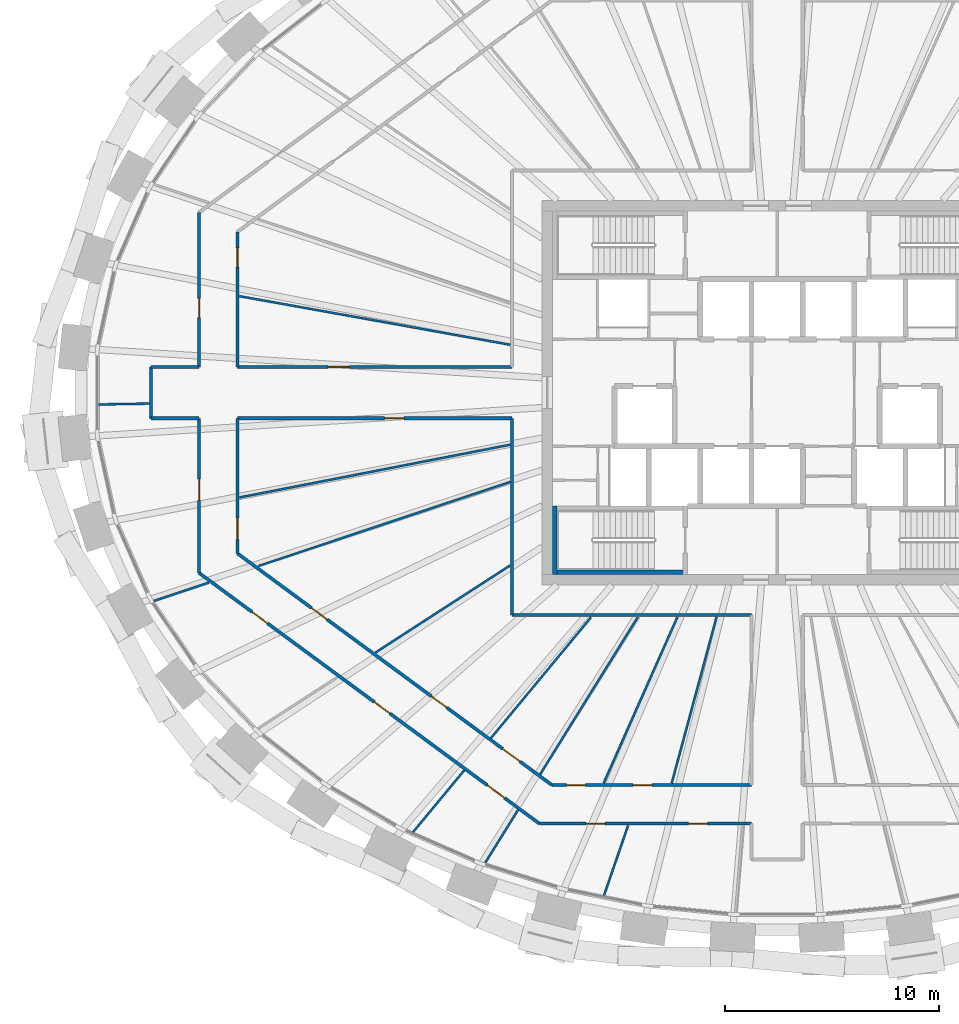
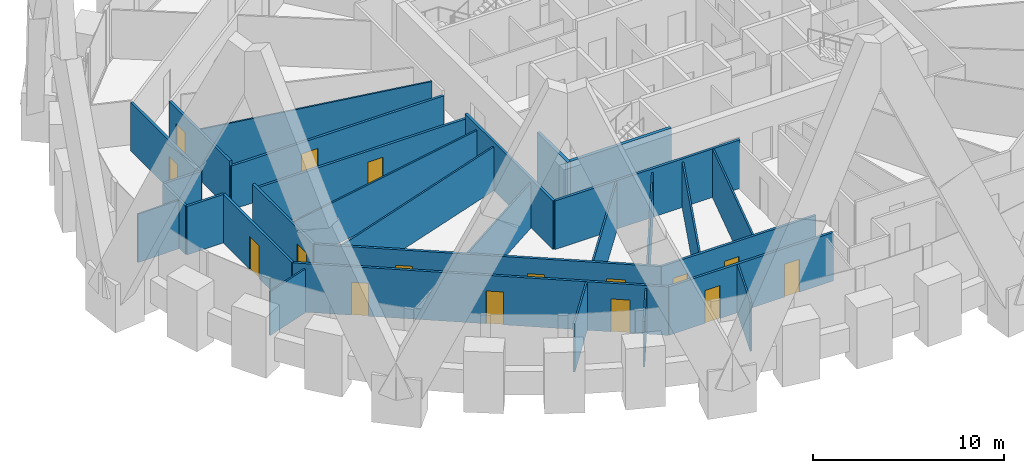
# One storey, part 7 of 14: 30 walls, 16 doors, 16 openings.
"""IFC4 building model written with IfcOpenShell, lengths in metres."""

import ifcopenshell
import ifcopenshell.guid

model = None  # the IFC model being written
_history = None  # IfcOwnerHistory: only IFC2X3 demands one
_inside = {}  # id of a spatial element -> (the spatial element, [elements in it])
_under = {}  # id of a project, library or spatial element -> (it, [spatial elements below it])
_declared = {}  # id of a project -> (the project, [libraries it declares])
_typed = {}  # id of a type object -> (the type object, [elements of that type])
_made_of = {}  # id of a material, layer set ... -> (it, [elements and type objects made of it])


def new_model(schema):
    """Start an empty IFC model of exactly this schema.

    Asked for "IFC4X3", IfcOpenShell would pick the latest addendum, in which some entities
    have other attributes; the version numbers below select the first issue.
    IFC2X3 requires an IfcOwnerHistory on every rooted entity: one is made here for all.
    """
    global model, _history
    if schema == "IFC4X3":
        model = ifcopenshell.file(schema_version=(4, 3, 0, 0))
    else:
        model = ifcopenshell.file(schema=schema)
    _inside.clear()
    _under.clear()
    _declared.clear()
    _typed.clear()
    _made_of.clear()
    _history = None
    if model.schema == "IFC2X3":
        org = make("IfcOrganization", Name="unknown")
        user = make(
            "IfcPersonAndOrganization",
            ThePerson=make("IfcPerson", FamilyName="unknown"),
            TheOrganization=org,
        )
        app = make(
            "IfcApplication",
            ApplicationDeveloper=org,
            Version="unknown",
            ApplicationFullName="unknown",
            ApplicationIdentifier="unknown",
        )
        _history = make(
            "IfcOwnerHistory",
            OwningUser=user,
            OwningApplication=app,
            ChangeAction="ADDED",
            CreationDate=0,
        )
    return model


def make(cls, **values):
    """One entity of the class cls with the attributes given. An attribute that is None is left unset."""
    return model.create_entity(
        cls, **{name: value for name, value in values.items() if value is not None}
    )


def rooted(cls, **values):
    """An entity with a GlobalId (a new one), such as an element, a storey or a relation."""
    return make(cls, GlobalId=ifcopenshell.guid.new(), OwnerHistory=_history, **values)


def si_unit(unit_type, name, prefix=None):
    """IfcSIUnit, for example si_unit("LENGTHUNIT", "METRE", prefix="MILLI")."""
    return make("IfcSIUnit", UnitType=unit_type, Prefix=prefix, Name=name)


def assignment(units):
    """IfcUnitAssignment: the units of a project."""
    return None if units is None else make("IfcUnitAssignment", Units=units)


def point(xyz):
    """IfcCartesianPoint."""
    return None if xyz is None else make("IfcCartesianPoint", Coordinates=xyz)


def direction(xyz):
    """IfcDirection."""
    return None if xyz is None else make("IfcDirection", DirectionRatios=xyz)


def frame(location, z_axis=None, x_axis=None):
    """IfcAxis2Placement3D, a coordinate frame: its origin and axes. An axis left out is left unset."""
    return make(
        "IfcAxis2Placement3D",
        Location=point(location),
        Axis=direction(z_axis),
        RefDirection=direction(x_axis),
    )


def frame_2d(location, x_axis=None):
    """IfcAxis2Placement2D, a coordinate frame in the plane: its origin and x axis."""
    return make(
        "IfcAxis2Placement2D", Location=point(location), RefDirection=direction(x_axis)
    )


def origin():
    """The frame at (0, 0, 0) with its axes left unset."""
    return frame((0.0, 0.0, 0.0))


def place(relative_to, where):
    """IfcLocalPlacement: puts the frame where relative to a parent placement (None: the world)."""
    return make(
        "IfcLocalPlacement", PlacementRelTo=relative_to, RelativePlacement=where
    )


def context(
    kind, dimensions, precision=None, world=None, true_north=None, identifier=None
):
    """IfcGeometricRepresentationContext, for example the 3D "Model" context."""
    return make(
        "IfcGeometricRepresentationContext",
        ContextIdentifier=identifier,
        ContextType=kind,
        CoordinateSpaceDimension=dimensions,
        Precision=precision,
        WorldCoordinateSystem=world,
        TrueNorth=true_north,
    )


def subcontext(parent, identifier, kind, view, scale=None):
    """IfcGeometricRepresentationSubContext, for example "Body" below "Model"."""
    return make(
        "IfcGeometricRepresentationSubContext",
        ContextIdentifier=identifier,
        ContextType=kind,
        ParentContext=parent,
        TargetScale=scale,
        TargetView=view,
    )


def project(units=None, contexts=None):
    """IfcProject with its units and contexts."""
    return rooted(
        "IfcProject",
        Name="project",
        RepresentationContexts=contexts,
        UnitsInContext=assignment(units),
    )


def spatial(cls, under=None, at=None, **own):
    """A site, building, storey or space (cls), placed at a placement, below another one or the project."""
    s = rooted(cls, ObjectPlacement=at, **own)
    if under is not None:
        _under.setdefault(under.id(), (under, []))[1].append(s)
    return s


def profile(cls, at=None, kind="AREA", **sizes):
    """A parametric profile (cls). Its sizes go by their IFC names, for example OverallWidth=200.0."""
    return make(cls, ProfileType=kind, Position=at, **sizes)


def rectangle(**sizes):
    """IfcRectangleProfileDef."""
    return profile("IfcRectangleProfileDef", **sizes)


def extrude(swept, where, along, depth):
    """IfcExtrudedAreaSolid: the profile swept, set in the frame where, extruded along a direction by depth."""
    return make(
        "IfcExtrudedAreaSolid",
        SweptArea=swept,
        Position=where,
        ExtrudedDirection=direction(along),
        Depth=depth,
    )


def shape(context_of_items, identifier, shape_type, items):
    """IfcShapeRepresentation: the items that make up one representation, for example the "Body"."""
    return make(
        "IfcShapeRepresentation",
        ContextOfItems=context_of_items,
        RepresentationIdentifier=identifier,
        RepresentationType=shape_type,
        Items=items,
    )


def source(mapping_origin, context_of_items, identifier, shape_type, items):
    """IfcRepresentationMap: a shape defined once, which mapped items show again and again."""
    return make(
        "IfcRepresentationMap",
        MappingOrigin=mapping_origin,
        MappedRepresentation=shape(context_of_items, identifier, shape_type, items),
    )


def transform(
    local_origin,
    x_axis=None,
    y_axis=None,
    z_axis=None,
    scale=None,
    scale2=None,
    scale3=None,
    uniform=True,
):
    """IfcCartesianTransformationOperator3D, or its non-uniform kind. x_axis, y_axis, z_axis: its Axis1, 2, 3."""
    if uniform:
        return make(
            "IfcCartesianTransformationOperator3D",
            Axis1=direction(x_axis),
            Axis2=direction(y_axis),
            LocalOrigin=point(local_origin),
            Scale=scale,
            Axis3=direction(z_axis),
        )
    return make(
        "IfcCartesianTransformationOperator3DnonUniform",
        Axis1=direction(x_axis),
        Axis2=direction(y_axis),
        LocalOrigin=point(local_origin),
        Scale=scale,
        Axis3=direction(z_axis),
        Scale2=scale2,
        Scale3=scale3,
    )


def mapped(mapping_source, mapping_target):
    """IfcMappedItem: shows the shape of a source again, moved by a transform."""
    return make(
        "IfcMappedItem", MappingSource=mapping_source, MappingTarget=mapping_target
    )


def material(Name=None, Category=None):
    """IfcMaterial."""
    return make("IfcMaterial", Name=Name, Category=Category)


def layer(
    of_material, thickness, ventilated=None, Name=None, Category=None, Priority=None
):
    """IfcMaterialLayer: one layer of a wall or slab, of a material (None: an air gap)."""
    return make(
        "IfcMaterialLayer",
        Material=of_material,
        LayerThickness=thickness,
        IsVentilated=ventilated,
        Name=Name,
        Category=Category,
        Priority=Priority,
    )


def layer_set(layers, Name=None):
    """IfcMaterialLayerSet."""
    return make("IfcMaterialLayerSet", MaterialLayers=layers, LayerSetName=Name)


def made_of(thing, what):
    """Note that an element or type object is made of a material, layer set ...; save() writes the relation."""
    if what is not None:
        _made_of.setdefault(what.id(), (what, []))[1].append(thing)
    return thing


def type_object(cls, material=None, **own):
    """A type object (cls), such as IfcWallType, which elements share."""
    return made_of(rooted(cls, **own), material)


def element(
    cls,
    number,
    at=None,
    inside=None,
    cuts=None,
    type_object=None,
    material=None,
    context=None,
    identifier="Body",
    shape_type=None,
    held_by="IfcProductDefinitionShape",
    body=None,
    shapes=None,
    **own,
):
    """One element of the class cls, such as IfcWall. Its Tag is "e" and its number.

    at: its placement. inside: the storey or other place that contains it. cuts: it is an
    opening in that element (IfcRelVoidsElement). A single representation is given by context,
    identifier, shape_type and body (its items); several are given by shapes. held_by: the class
    of the entity that holds the representations. save() writes the other relations.
    """
    e = rooted(cls, Tag="e%d" % number, ObjectPlacement=at, **own)
    if body is not None:
        shapes = [shape(context, identifier, shape_type, body)]
    if shapes is not None:
        e.Representation = make(held_by, Representations=shapes)
    if inside is not None:
        _inside.setdefault(inside.id(), (inside, []))[1].append(e)
    if cuts is not None:
        rooted(
            "IfcRelVoidsElement", RelatingBuildingElement=cuts, RelatedOpeningElement=e
        )
    if type_object is not None:
        _typed.setdefault(type_object.id(), (type_object, []))[1].append(e)
    return made_of(e, material)


def fill(opening, filler):
    """IfcRelFillsElement: the door or window that sits in an opening."""
    return rooted(
        "IfcRelFillsElement",
        RelatingOpeningElement=opening,
        RelatedBuildingElement=filler,
    )


def aggregate(whole, parts):
    """IfcRelAggregates: a whole, such as a stair, and the parts it consists of."""
    return rooted("IfcRelAggregates", RelatingObject=whole, RelatedObjects=parts)


def save(model, path):
    """Write the relations noted so far, then the file.

    IfcRelAggregates (storeys below a building ...), IfcRelContainedInSpatialStructure (elements
    in a storey), IfcRelDefinesByType, IfcRelAssociatesMaterial and IfcRelDeclares: one each for
    every whole, place, type object, material and project.
    """
    for whole, parts in _under.values():
        aggregate(whole, parts)
    for where, things in _inside.values():
        rooted(
            "IfcRelContainedInSpatialStructure",
            RelatedElements=things,
            RelatingStructure=where,
        )
    for kind, things in _typed.values():
        rooted("IfcRelDefinesByType", RelatedObjects=things, RelatingType=kind)
    for what, things in _made_of.values():
        rooted("IfcRelAssociatesMaterial", RelatedObjects=things, RelatingMaterial=what)
    for by, libraries in _declared.values():
        rooted("IfcRelDeclares", RelatingContext=by, RelatedDefinitions=libraries)
    model.write(path)


model = new_model("IFC4")

# Units and contexts
model_context = context("Model", 3, precision=1e-05, world=origin(), true_north=direction((0.0, 1.0)))
body_context = subcontext(model_context, "Body", "Model", "MODEL_VIEW")
ifc_project = project(units=[si_unit("LENGTHUNIT", "METRE"), si_unit("AREAUNIT", "SQUARE_METRE"), si_unit("VOLUMEUNIT", "CUBIC_METRE"), si_unit("PLANEANGLEUNIT", "RADIAN"), si_unit("MASSUNIT", "GRAM", prefix="KILO")], contexts=[model_context])

# Site, building, storey
site_placement = place(None, origin())
site = spatial("IfcSite", under=ifc_project, at=site_placement, CompositionType="ELEMENT")
building_placement = place(site_placement, origin())
building = spatial("IfcBuilding", under=site, at=building_placement, Name="Embergate Tower", CompositionType="ELEMENT")
storey_placement = place(building_placement, frame((0.0, 0.0, 257.800048828125)))
storey = spatial("IfcBuildingStorey", under=building, at=storey_placement, Name="L59", CompositionType="ELEMENT", Elevation=257.800048828125)

# Walls
ifc_material_1 = material(Name="Corridor wall dry-lined 150")
ifc_layer_1 = layer(ifc_material_1, 0.14990234375)
ifc_layer_set_1 = layer_set([ifc_layer_1], Name="Corridor wall dry-lined 150")
wall_type_1 = type_object("IfcWallType", Name="Corridor wall dry-lined 150", PredefinedType="PARTITIONING", material=ifc_layer_set_1)
shared_shape_1 = source(origin(), body_context, "Body", "SweptSolid", [
    extrude(rectangle(XDim=2.39990234375, YDim=0.14990234375, at=frame_2d((1.199951171875, 0.0))), origin(), (0.0, 0.0, 1.0), 3.099853515625),
])
wall_1_placement = place(storey_placement, frame((-29.300048828125, -1.199951171875, 0.0), z_axis=(0.0, 0.0, 1.0), x_axis=(0.0, 1.0, 0.0)))
element("IfcWall", 1, at=wall_1_placement, inside=storey, type_object=wall_type_1, Name="IP-2 wall", PredefinedType="PARTITIONING", context=body_context, shape_type="MappedRepresentation", body=[
    mapped(shared_shape_1, transform((0.0, 0.0, 0.0))),
])
shared_shape_2 = source(origin(), body_context, "Body", "SweptSolid", [
    extrude(rectangle(XDim=9.199951171875, YDim=0.14990234375, at=frame_2d((4.60009765625, 0.0))), origin(), (0.0, 0.0, 1.0), 3.099853515625),
])
wall_2_placement = place(storey_placement, frame((-12.39990234375, -10.39990234375, 0.0), z_axis=(0.0, 0.0, 1.0), x_axis=(0.0, 1.0, 0.0)))
element("IfcWall", 2, at=wall_2_placement, inside=storey, type_object=wall_type_1, Name="IP-2 wall", PredefinedType="PARTITIONING", context=body_context, shape_type="MappedRepresentation", body=[
    mapped(shared_shape_2, transform((0.0, 0.0, 0.0))),
])
shared_shape_3 = source(origin(), body_context, "Body", "SweptSolid", [
    extrude(rectangle(XDim=11.199951171875, YDim=0.14990234375, at=frame_2d((5.60009765625, 0.0))), origin(), (0.0, 0.0, 1.0), 3.099853515625),
])
wall_3_placement = place(storey_placement, frame((-12.39990234375, -10.39990234375, 0.0), z_axis=(0.0, 0.0, 1.0), x_axis=(1.0, 0.0, 0.0)))
element("IfcWall", 3, at=wall_3_placement, inside=storey, type_object=wall_type_1, Name="IP-2 wall", PredefinedType="PARTITIONING", context=body_context, shape_type="MappedRepresentation", body=[
    mapped(shared_shape_3, transform((0.0, 0.0, 0.0))),
])
ifc_material_2 = material(Name="Concrete C50", Category="concrete")
ifc_layer_2 = layer(ifc_material_2, 0.199951171875)
ifc_layer_set_2 = layer_set([ifc_layer_2], Name="Concrete C50")
wall_type_2 = type_object("IfcWallType", Name="Stair enclosure wall reinforced concrete 250", PredefinedType="SHEAR", material=ifc_layer_set_2)
shared_shape_4 = source(origin(), body_context, "Body", "SweptSolid", [
    extrude(rectangle(XDim=6.298095703125, YDim=0.199951171875, at=frame_2d((3.14892578125, 0.0))), origin(), (0.0, 0.0, 1.0), 3.699951171875),
])
wall_4_placement = place(storey_placement, frame((-10.5, -8.39990234375, 0.0), z_axis=(0.0, 0.0, 1.0), x_axis=(1.0, 0.0, 0.0)))
element("IfcWall", 4, at=wall_4_placement, inside=storey, type_object=wall_type_2, Name="SE-1 wall", PredefinedType="SHEAR", context=body_context, shape_type="MappedRepresentation", body=[
    mapped(shared_shape_4, transform((0.0, 0.0, 0.0))),
])
shared_shape_5 = source(origin(), body_context, "Body", "SweptSolid", [
    extrude(rectangle(XDim=3.197998046875, YDim=0.199951171875, at=frame_2d((1.59912109375, 0.0))), origin(), (0.0, 0.0, 1.0), 3.699951171875),
])
wall_5_placement = place(storey_placement, frame((-10.39990234375, -5.302001953125, 0.0), z_axis=(0.0, 0.0, 1.0), x_axis=(0.0, -1.0, 0.0)))
element("IfcWall", 5, at=wall_5_placement, inside=storey, type_object=wall_type_2, Name="SE-1 wall", PredefinedType="SHEAR", context=body_context, shape_type="MappedRepresentation", body=[
    mapped(shared_shape_5, transform((0.0, 0.0, 0.0))),
])

# Wall, openings, doors
shared_shape_6 = source(origin(), body_context, "Body", "SweptSolid", [
    extrude(rectangle(XDim=19.77294921875, YDim=0.14990234375, at=frame_2d((9.886474609375, 0.0))), origin(), (0.0, 0.0, 1.0), 3.099853515625),
])
wall_6_placement = place(storey_placement, frame((-11.1259765625, -20.158935546875, 0.0), z_axis=(0.0, 0.0, 1.0), x_axis=(-0.805138380898, 0.593086998344, 0.0)))
wall_6 = element("IfcWall", 6, at=wall_6_placement, inside=storey, type_object=wall_type_1, Name="IP-2 wall", PredefinedType="PARTITIONING", context=body_context, shape_type="MappedRepresentation", body=[
    mapped(shared_shape_6, transform((0.0, 0.0, 0.0))),
])
shared_shape_7 = source(origin(), body_context, "Body", "SweptSolid", [
    extrude(rectangle(XDim=0.89990234375, YDim=2.10009765625, at=frame_2d((0.449951171875, 1.050048828125))), frame((0.0, 0.0849609375, 0.0), z_axis=(0.0, -1.0, 0.0), x_axis=(1.0, 0.0, 0.0)), (0.0, 0.0, 1.0), 0.169921875),
])
opening_1_placement = place(wall_6_placement, frame((15.79248046875, 0.0, 0.0)))
opening_1 = element("IfcOpeningElement", 7, at=opening_1_placement, cuts=wall_6, Name="Opening IF-1c", PredefinedType="OPENING", context=body_context, shape_type="MappedRepresentation", body=[
    mapped(shared_shape_7, transform((0.0, 0.0, 0.0))),
])
opening_2_placement = place(wall_6_placement, frame((8.685546875, 0.0, 0.0)))
opening_2 = element("IfcOpeningElement", 8, at=opening_2_placement, cuts=wall_6, Name="Opening IF-1c", PredefinedType="OPENING", context=body_context, shape_type="MappedRepresentation", body=[
    mapped(shared_shape_7, transform((0.0, 0.0, 0.0))),
])
shared_shape_8 = source(origin(), body_context, "Body", "SweptSolid", [
    extrude(rectangle(XDim=1.0, YDim=2.10009765625, at=frame_2d((0.5, 1.050048828125))), frame((0.0, 0.0849609375, 0.0), z_axis=(0.0, -1.0, 0.0), x_axis=(1.0, 0.0, 0.0)), (0.0, 0.0, 1.0), 0.169921875),
])
opening_3_placement = place(wall_6_placement, frame((2.017822265625, 0.0, 0.0)))
opening_3 = element("IfcOpeningElement", 9, at=opening_3_placement, cuts=wall_6, Name="Opening ID-2", PredefinedType="OPENING", context=body_context, shape_type="MappedRepresentation", body=[
    mapped(shared_shape_8, transform((0.0, 0.0, 0.0))),
])
ifc_material_3 = material(Name="Escape fire door 900")
door_type_1 = type_object("IfcDoorType", Name="Escape fire door 900", OperationType="SINGLE_SWING_LEFT", PredefinedType="DOOR", material=ifc_material_3)
shared_shape_9 = source(origin(), body_context, "Body", "SweptSolid", [
    extrude(rectangle(XDim=0.89990234375, YDim=2.10009765625, at=frame_2d((0.449951171875, 1.050048828125))), frame((0.0, 0.02490234375, 0.0), z_axis=(0.0, -1.0, 0.0), x_axis=(1.0, 0.0, 0.0)), (0.0, 0.0, 1.0), 0.050048828125),
])
door_1_placement = place(opening_1_placement, origin())
door_1 = element("IfcDoor", 10, at=door_1_placement, inside=storey, type_object=door_type_1, Name="IF-1 door", OperationType="SINGLE_SWING_RIGHT", OverallHeight=2.10009765625, OverallWidth=0.89990234375, PredefinedType="DOOR", context=body_context, shape_type="MappedRepresentation", body=[
    mapped(shared_shape_9, transform((0.0, 0.0, 0.0))),
])
fill(opening_1, door_1)
door_2_placement = place(opening_2_placement, origin())
door_2 = element("IfcDoor", 11, at=door_2_placement, inside=storey, type_object=door_type_1, Name="IF-1 door", OperationType="SINGLE_SWING_LEFT", OverallHeight=2.10009765625, OverallWidth=0.89990234375, PredefinedType="DOOR", context=body_context, shape_type="MappedRepresentation", body=[
    mapped(shared_shape_9, transform((0.0, 0.0, 0.0))),
])
fill(opening_2, door_2)
ifc_material_4 = material(Name="Interior door 1000")
door_type_2 = type_object("IfcDoorType", Name="Interior door 1000", OperationType="SINGLE_SWING_LEFT", PredefinedType="DOOR", material=ifc_material_4)
shared_shape_10 = source(origin(), body_context, "Body", "SweptSolid", [
    extrude(rectangle(XDim=1.0, YDim=2.10009765625, at=frame_2d((0.5, 1.050048828125))), frame((0.0, 0.02490234375, 0.0), z_axis=(0.0, -1.0, 0.0), x_axis=(1.0, 0.0, 0.0)), (0.0, 0.0, 1.0), 0.050048828125),
])
door_3_placement = place(opening_3_placement, origin())
door_3 = element("IfcDoor", 12, at=door_3_placement, inside=storey, type_object=door_type_2, Name="ID-2 door", OperationType="SINGLE_SWING_LEFT", OverallHeight=2.10009765625, OverallWidth=1.0, PredefinedType="DOOR", context=body_context, shape_type="MappedRepresentation", body=[
    mapped(shared_shape_10, transform((0.0, 0.0, 0.0))),
])
fill(opening_3, door_3)

shared_shape_11 = source(origin(), body_context, "Body", "SweptSolid", [
    extrude(rectangle(XDim=18.27197265625, YDim=0.14990234375, at=frame_2d((9.135986328125, 0.0))), origin(), (0.0, 0.0, 1.0), 3.099853515625),
])
wall_7_placement = place(storey_placement, frame((-25.24609375, -7.52294921875, 0.0), z_axis=(0.0, 0.0, 1.0), x_axis=(0.805176050135, -0.593035857507, 0.0)))
wall_7 = element("IfcWall", 13, at=wall_7_placement, inside=storey, type_object=wall_type_1, Name="IP-2 wall", PredefinedType="PARTITIONING", context=body_context, shape_type="MappedRepresentation", body=[
    mapped(shared_shape_11, transform((0.0, 0.0, 0.0))),
])
opening_4_placement = place(wall_7_placement, frame((4.302734375, 0.0, 0.0)))
opening_4 = element("IfcOpeningElement", 14, at=opening_4_placement, cuts=wall_7, Name="Opening IF-1c", PredefinedType="OPENING", context=body_context, shape_type="MappedRepresentation", body=[
    mapped(shared_shape_7, transform((0.0, 0.0, 0.0))),
])
opening_5_placement = place(wall_7_placement, frame((11.257080078125, 0.0, 0.0)))
opening_5 = element("IfcOpeningElement", 15, at=opening_5_placement, cuts=wall_7, Name="Opening IF-1c", PredefinedType="OPENING", context=body_context, shape_type="MappedRepresentation", body=[
    mapped(shared_shape_7, transform((0.0, 0.0, 0.0))),
])
opening_6_placement = place(wall_7_placement, frame((15.406005859375, 0.0, 0.0)))
opening_6 = element("IfcOpeningElement", 16, at=opening_6_placement, cuts=wall_7, Name="Opening ID-2", PredefinedType="OPENING", context=body_context, shape_type="MappedRepresentation", body=[
    mapped(shared_shape_8, transform((0.0, 0.0, 0.0))),
])
door_4_placement = place(opening_4_placement, origin())
door_4 = element("IfcDoor", 17, at=door_4_placement, inside=storey, type_object=door_type_1, Name="IF-1 door", OperationType="SINGLE_SWING_RIGHT", OverallHeight=2.10009765625, OverallWidth=0.89990234375, PredefinedType="DOOR", context=body_context, shape_type="MappedRepresentation", body=[
    mapped(shared_shape_9, transform((0.0, 0.0, 0.0))),
])
fill(opening_4, door_4)
door_5_placement = place(opening_5_placement, origin())
door_5 = element("IfcDoor", 18, at=door_5_placement, inside=storey, type_object=door_type_1, Name="IF-1 door", OperationType="SINGLE_SWING_RIGHT", OverallHeight=2.10009765625, OverallWidth=0.89990234375, PredefinedType="DOOR", context=body_context, shape_type="MappedRepresentation", body=[
    mapped(shared_shape_9, transform((0.0, 0.0, 0.0))),
])
fill(opening_5, door_5)
door_6_placement = place(opening_6_placement, origin())
door_6 = element("IfcDoor", 19, at=door_6_placement, inside=storey, type_object=door_type_2, Name="ID-2 door", OperationType="SINGLE_SWING_RIGHT", OverallHeight=2.10009765625, OverallWidth=1.0, PredefinedType="DOOR", context=body_context, shape_type="MappedRepresentation", body=[
    mapped(shared_shape_10, transform((0.0, 0.0, 0.0))),
])
fill(opening_6, door_6)

ifc_material_5 = material(Name="Corridor wall dry-lined 150 wet")
ifc_layer_3 = layer(ifc_material_5, 0.14990234375)
ifc_layer_set_3 = layer_set([ifc_layer_3], Name="Corridor wall dry-lined 150 wet")
wall_type_3 = type_object("IfcWallType", Name="Corridor wall dry-lined 150 wet", PredefinedType="PLUMBINGWALL", material=ifc_layer_set_3)
shared_shape_12 = source(origin(), body_context, "Body", "SweptSolid", [
    extrude(rectangle(XDim=9.926025390625, YDim=0.14990234375, at=frame_2d((4.962890625, 0.0))), origin(), (0.0, 0.0, 1.0), 3.099853515625),
])
wall_8_placement = place(storey_placement, frame((-11.1259765625, -20.158935546875, 0.0), z_axis=(0.0, 0.0, 1.0), x_axis=(1.0, 0.0, 0.0)))
wall_8 = element("IfcWall", 20, at=wall_8_placement, inside=storey, type_object=wall_type_3, Name="IP-2 wall", PredefinedType="PLUMBINGWALL", context=body_context, shape_type="MappedRepresentation", body=[
    mapped(shared_shape_12, transform((0.0, 0.0, 0.0))),
])
opening_7_placement = place(wall_8_placement, frame((2.1806640625, 0.0, 0.0)))
opening_7 = element("IfcOpeningElement", 21, at=opening_7_placement, cuts=wall_8, Name="Opening IF-1c", PredefinedType="OPENING", context=body_context, shape_type="MappedRepresentation", body=[
    mapped(shared_shape_7, transform((0.0, 0.0, 0.0))),
])
opening_8_placement = place(wall_8_placement, frame((6.970703125, 0.0, 0.0)))
opening_8 = element("IfcOpeningElement", 22, at=opening_8_placement, cuts=wall_8, Name="Opening IF-1c", PredefinedType="OPENING", context=body_context, shape_type="MappedRepresentation", body=[
    mapped(shared_shape_7, transform((0.0, 0.0, 0.0))),
])
door_7_placement = place(opening_7_placement, origin())
door_7 = element("IfcDoor", 23, at=door_7_placement, inside=storey, type_object=door_type_1, Name="IF-1 door", OperationType="SINGLE_SWING_RIGHT", OverallHeight=2.10009765625, OverallWidth=0.89990234375, PredefinedType="DOOR", context=body_context, shape_type="MappedRepresentation", body=[
    mapped(shared_shape_9, transform((0.0, 0.0, 0.0))),
])
fill(opening_7, door_7)
door_8_placement = place(opening_8_placement, origin())
door_8 = element("IfcDoor", 24, at=door_8_placement, inside=storey, type_object=door_type_1, Name="IF-1 door", OperationType="SINGLE_SWING_LEFT", OverallHeight=2.10009765625, OverallWidth=0.89990234375, PredefinedType="DOOR", context=body_context, shape_type="MappedRepresentation", body=[
    mapped(shared_shape_9, transform((0.0, 0.0, 0.0))),
])
fill(opening_8, door_8)

shared_shape_13 = source(origin(), body_context, "Body", "SweptSolid", [
    extrude(rectangle(XDim=9.333984375, YDim=0.14990234375, at=frame_2d((4.6669921875, 0.0))), origin(), (0.0, 0.0, 1.0), 3.099853515625),
])
wall_9_placement = place(storey_placement, frame((-10.533935546875, -18.35888671875, 0.0), z_axis=(0.0, 0.0, 1.0), x_axis=(1.0, 0.0, 0.0)))
wall_9 = element("IfcWall", 25, at=wall_9_placement, inside=storey, type_object=wall_type_3, Name="IP-2 wall", PredefinedType="PLUMBINGWALL", context=body_context, shape_type="MappedRepresentation", body=[
    mapped(shared_shape_13, transform((0.0, 0.0, 0.0))),
])
opening_9_placement = place(wall_9_placement, frame((0.667236328125, 0.0, 0.0)))
opening_9 = element("IfcOpeningElement", 26, at=opening_9_placement, cuts=wall_9, Name="Opening IF-1c", PredefinedType="OPENING", context=body_context, shape_type="MappedRepresentation", body=[
    mapped(shared_shape_7, transform((0.0, 0.0, 0.0))),
])
opening_10_placement = place(wall_9_placement, frame((3.78125, 0.0, 0.0)))
opening_10 = element("IfcOpeningElement", 27, at=opening_10_placement, cuts=wall_9, Name="Opening IF-1c", PredefinedType="OPENING", context=body_context, shape_type="MappedRepresentation", body=[
    mapped(shared_shape_7, transform((0.0, 0.0, 0.0))),
])
door_9_placement = place(opening_9_placement, origin())
door_9 = element("IfcDoor", 28, at=door_9_placement, inside=storey, type_object=door_type_1, Name="IF-1 door", OperationType="SINGLE_SWING_LEFT", OverallHeight=2.10009765625, OverallWidth=0.89990234375, PredefinedType="DOOR", context=body_context, shape_type="MappedRepresentation", body=[
    mapped(shared_shape_9, transform((0.0, 0.0, 0.0))),
])
fill(opening_9, door_9)
door_10_placement = place(opening_10_placement, origin())
door_10 = element("IfcDoor", 29, at=door_10_placement, inside=storey, type_object=door_type_1, Name="IF-1 door", OperationType="SINGLE_SWING_LEFT", OverallHeight=2.10009765625, OverallWidth=0.89990234375, PredefinedType="DOOR", context=body_context, shape_type="MappedRepresentation", body=[
    mapped(shared_shape_9, transform((0.0, 0.0, 0.0))),
])
fill(opening_10, door_10)

# Wall, opening, door
shared_shape_14 = source(origin(), body_context, "Body", "SweptSolid", [
    extrude(rectangle(XDim=7.23193359375, YDim=0.14990234375, at=frame_2d((3.615966796875, 0.0))), origin(), (0.0, 0.0, 1.0), 3.099853515625),
])
wall_10_placement = place(storey_placement, frame((-27.0458984375, 1.199951171875, 0.0), z_axis=(0.0, 0.0, 1.0), x_axis=(0.0, 1.0, 0.0)))
wall_10 = element("IfcWall", 30, at=wall_10_placement, inside=storey, type_object=wall_type_1, Name="IP-2 wall", PredefinedType="PARTITIONING", context=body_context, shape_type="MappedRepresentation", body=[
    mapped(shared_shape_14, transform((0.0, 0.0, 0.0))),
])
opening_11_placement = place(wall_10_placement, frame((2.305908203125, 0.0, 0.0)))
opening_11 = element("IfcOpeningElement", 31, at=opening_11_placement, cuts=wall_10, Name="Opening IF-1c", PredefinedType="OPENING", context=body_context, shape_type="MappedRepresentation", body=[
    mapped(shared_shape_7, transform((0.0, 0.0, 0.0))),
])
door_11_placement = place(opening_11_placement, origin())
door_11 = element("IfcDoor", 32, at=door_11_placement, inside=storey, type_object=door_type_1, Name="IF-1 door", OperationType="SINGLE_SWING_LEFT", OverallHeight=2.10009765625, OverallWidth=0.89990234375, PredefinedType="DOOR", context=body_context, shape_type="MappedRepresentation", body=[
    mapped(shared_shape_9, transform((0.0, 0.0, 0.0))),
])
fill(opening_11, door_11)

wall_11_placement = place(storey_placement, frame((-27.0458984375, -8.431884765625, 0.0), z_axis=(0.0, 0.0, 1.0), x_axis=(0.0, 1.0, 0.0)))
wall_11 = element("IfcWall", 33, at=wall_11_placement, inside=storey, type_object=wall_type_1, Name="IP-2 wall", PredefinedType="PARTITIONING", context=body_context, shape_type="MappedRepresentation", body=[
    mapped(shared_shape_14, transform((0.0, 0.0, 0.0))),
])
opening_12_placement = place(wall_11_placement, frame((3.397216796875, 0.0, 0.0)))
opening_12 = element("IfcOpeningElement", 34, at=opening_12_placement, cuts=wall_11, Name="Opening ID-2", PredefinedType="OPENING", context=body_context, shape_type="MappedRepresentation", body=[
    mapped(shared_shape_8, transform((0.0, 0.0, 0.0))),
])
door_12_placement = place(opening_12_placement, origin())
door_12 = element("IfcDoor", 35, at=door_12_placement, inside=storey, type_object=door_type_2, Name="ID-2 door", OperationType="SINGLE_SWING_RIGHT", OverallHeight=2.10009765625, OverallWidth=1.0, PredefinedType="DOOR", context=body_context, shape_type="MappedRepresentation", body=[
    mapped(shared_shape_10, transform((0.0, 0.0, 0.0))),
])
fill(opening_12, door_12)

# Walls
shared_shape_15 = source(origin(), body_context, "Body", "SweptSolid", [
    extrude(rectangle(XDim=2.254150390625, YDim=0.14990234375, at=frame_2d((1.126953125, 0.0))), origin(), (0.0, 0.0, 1.0), 3.099853515625),
])
for number, where, z_axis, x_axis, name in (
    (36, (-29.300048828125, 1.199951171875, 0.0), (0.0, 0.0, 1.0), (1.0, 0.0, 0.0), "IP-2 wall"),
    (37, (-27.0458984375, -1.199951171875, 0.0), (0.0, 0.0, 1.0), (-1.0, 0.0, 0.0), "IP-2 wall"),
):
    element("IfcWall", number, at=place(storey_placement, frame(where, z_axis=z_axis, x_axis=x_axis)), inside=storey, type_object=wall_type_1, Name=name, PredefinedType="PARTITIONING", context=body_context, shape_type="MappedRepresentation", body=[
        mapped(shared_shape_15, transform((0.0, 0.0, 0.0))),
    ])

# Wall, opening, door
shared_shape_16 = source(origin(), body_context, "Body", "SweptSolid", [
    extrude(rectangle(XDim=6.322998046875, YDim=0.14990234375, at=frame_2d((3.16162109375, 0.0))), origin(), (0.0, 0.0, 1.0), 3.099853515625),
])
wall_12_placement = place(storey_placement, frame((-25.24609375, -1.199951171875, 0.0), z_axis=(0.0, 0.0, 1.0), x_axis=(0.0, -1.0, 0.0)))
wall_12 = element("IfcWall", 38, at=wall_12_placement, inside=storey, type_object=wall_type_1, Name="IP-2 wall", PredefinedType="PARTITIONING", context=body_context, shape_type="MappedRepresentation", body=[
    mapped(shared_shape_16, transform((0.0, 0.0, 0.0))),
])
opening_13_placement = place(wall_12_placement, frame((4.6708984375, 0.0, 0.0)))
opening_13 = element("IfcOpeningElement", 39, at=opening_13_placement, cuts=wall_12, Name="Opening ID-2", PredefinedType="OPENING", context=body_context, shape_type="MappedRepresentation", body=[
    mapped(shared_shape_8, transform((0.0, 0.0, 0.0))),
])
door_13_placement = place(opening_13_placement, origin())
door_13 = element("IfcDoor", 40, at=door_13_placement, inside=storey, type_object=door_type_2, Name="ID-2 door", OperationType="SINGLE_SWING_RIGHT", OverallHeight=2.10009765625, OverallWidth=1.0, PredefinedType="DOOR", context=body_context, shape_type="MappedRepresentation", body=[
    mapped(shared_shape_10, transform((0.0, 0.0, 0.0))),
])
fill(opening_13, door_13)

wall_13_placement = place(storey_placement, frame((-25.24609375, 1.199951171875, 0.0), z_axis=(0.0, 0.0, 1.0), x_axis=(0.0, 1.0, 0.0)))
wall_13 = element("IfcWall", 41, at=wall_13_placement, inside=storey, type_object=wall_type_1, Name="IP-2 wall", PredefinedType="PARTITIONING", context=body_context, shape_type="MappedRepresentation", body=[
    mapped(shared_shape_16, transform((0.0, 0.0, 0.0))),
])
opening_14_placement = place(wall_13_placement, frame((4.674072265625, 0.0, 0.0)))
opening_14 = element("IfcOpeningElement", 42, at=opening_14_placement, cuts=wall_13, Name="Opening IF-1c", PredefinedType="OPENING", context=body_context, shape_type="MappedRepresentation", body=[
    mapped(shared_shape_7, transform((0.0, 0.0, 0.0))),
])
door_14_placement = place(opening_14_placement, origin())
door_14 = element("IfcDoor", 43, at=door_14_placement, inside=storey, type_object=door_type_1, Name="IF-1 door", OperationType="SINGLE_SWING_RIGHT", OverallHeight=2.10009765625, OverallWidth=0.89990234375, PredefinedType="DOOR", context=body_context, shape_type="MappedRepresentation", body=[
    mapped(shared_shape_9, transform((0.0, 0.0, 0.0))),
])
fill(opening_14, door_14)

shared_shape_17 = source(origin(), body_context, "Body", "SweptSolid", [
    extrude(rectangle(XDim=12.84619140625, YDim=0.14990234375, at=frame_2d((6.423095703125, 0.0))), origin(), (0.0, 0.0, 1.0), 2.800048828125),
])
wall_14_placement = place(storey_placement, frame((-12.39990234375, -1.199951171875, 0.0), z_axis=(0.0, 0.0, 1.0), x_axis=(-1.0, 0.0, 0.0)))
wall_14 = element("IfcWall", 44, at=wall_14_placement, inside=storey, type_object=wall_type_1, Name="IP-2 wall", PredefinedType="PARTITIONING", context=body_context, shape_type="MappedRepresentation", body=[
    mapped(shared_shape_17, transform((0.0, 0.0, 0.0))),
])
opening_15_placement = place(wall_14_placement, frame((5.06494140625, 0.0, 0.0)))
opening_15 = element("IfcOpeningElement", 45, at=opening_15_placement, cuts=wall_14, Name="Opening IF-1c", PredefinedType="OPENING", context=body_context, shape_type="MappedRepresentation", body=[
    mapped(shared_shape_7, transform((0.0, 0.0, 0.0))),
])
door_15_placement = place(opening_15_placement, origin())
door_15 = element("IfcDoor", 46, at=door_15_placement, inside=storey, type_object=door_type_1, Name="IF-1 door", OperationType="SINGLE_SWING_RIGHT", OverallHeight=2.10009765625, OverallWidth=0.89990234375, PredefinedType="DOOR", context=body_context, shape_type="MappedRepresentation", body=[
    mapped(shared_shape_9, transform((0.0, 0.0, 0.0))),
])
fill(opening_15, door_15)

wall_15_placement = place(storey_placement, frame((-25.24609375, 1.199951171875, 0.0), z_axis=(0.0, 0.0, 1.0), x_axis=(1.0, 0.0, 0.0)))
wall_15 = element("IfcWall", 47, at=wall_15_placement, inside=storey, type_object=wall_type_1, Name="IP-2 wall", PredefinedType="PARTITIONING", context=body_context, shape_type="MappedRepresentation", body=[
    mapped(shared_shape_17, transform((0.0, 0.0, 0.0))),
])
opening_16_placement = place(wall_15_placement, frame((4.23583984375, 0.0, 0.0)))
opening_16 = element("IfcOpeningElement", 48, at=opening_16_placement, cuts=wall_15, Name="Opening ID-2", PredefinedType="OPENING", context=body_context, shape_type="MappedRepresentation", body=[
    mapped(shared_shape_8, transform((0.0, 0.0, 0.0))),
])
door_16_placement = place(opening_16_placement, origin())
door_16 = element("IfcDoor", 49, at=door_16_placement, inside=storey, type_object=door_type_2, Name="ID-2 door", OperationType="SINGLE_SWING_LEFT", OverallHeight=2.10009765625, OverallWidth=1.0, PredefinedType="DOOR", context=body_context, shape_type="MappedRepresentation", body=[
    mapped(shared_shape_10, transform((0.0, 0.0, 0.0))),
])
fill(opening_16, door_16)

# Walls
ifc_material_6 = material(Name="Partition dry-lined 100")
ifc_layer_4 = layer(ifc_material_6, 0.10009765625)
ifc_layer_set_4 = layer_set([ifc_layer_4], Name="Partition dry-lined 100")
wall_type_4 = type_object("IfcWallType", Name="Partition dry-lined 100", PredefinedType="PARTITIONING", material=ifc_layer_set_4)
shared_shape_18 = source(origin(), body_context, "Body", "SweptSolid", [
    extrude(rectangle(XDim=2.776123046875, YDim=0.10009765625, at=frame_2d((1.38818359375, 0.0))), origin(), (0.0, 0.0, 1.0), 2.800048828125),
])
wall_16_placement = place(storey_placement, frame((-26.59912109375, -8.889892578125, 0.0), z_axis=(0.0, 0.0, 1.0), x_axis=(-0.948410312692, -0.317045546852, 0.0)))
element("IfcWall", 50, at=wall_16_placement, inside=storey, type_object=wall_type_4, Name="IP-1 wall", PredefinedType="PARTITIONING", context=body_context, shape_type="MappedRepresentation", body=[
    mapped(shared_shape_18, transform((0.0, 0.0, 0.0))),
])
shared_shape_19 = source(origin(), body_context, "Body", "SweptSolid", [
    extrude(rectangle(XDim=3.8505859375, YDim=0.10009765625, at=frame_2d((1.92529296875, 0.0))), origin(), (0.0, 0.0, 1.0), 3.099853515625),
])
wall_17_placement = place(storey_placement, frame((-14.637939453125, -17.6650390625, 0.0), z_axis=(0.0, 0.0, 1.0), x_axis=(-0.638086604926, -0.769964599585, 0.0)))
element("IfcWall", 51, at=wall_17_placement, inside=storey, type_object=wall_type_4, Name="IP-1 wall", PredefinedType="PARTITIONING", context=body_context, shape_type="MappedRepresentation", body=[
    mapped(shared_shape_19, transform((0.0, 0.0, 0.0))),
])
ifc_material_7 = material(Name="Partition dry-lined 100 wet")
ifc_layer_5 = layer(ifc_material_7, 0.10009765625)
ifc_layer_set_5 = layer_set([ifc_layer_5], Name="Partition dry-lined 100 wet")
wall_type_5 = type_object("IfcWallType", Name="Partition dry-lined 100 wet", PredefinedType="PLUMBINGWALL", material=ifc_layer_set_5)
shared_shape_20 = source(origin(), body_context, "Body", "SweptSolid", [
    extrude(rectangle(XDim=3.001953125, YDim=0.10009765625, at=frame_2d((1.5009765625, 0.0))), origin(), (0.0, 0.0, 1.0), 2.89990234375),
])
wall_18_placement = place(storey_placement, frame((-12.12109375, -19.51904296875, 0.0), z_axis=(0.0, 0.0, 1.0), x_axis=(-0.527650303737, -0.84946168658, 0.0)))
element("IfcWall", 52, at=wall_18_placement, inside=storey, type_object=wall_type_5, Name="IP-1 wall", PredefinedType="PLUMBINGWALL", context=body_context, shape_type="MappedRepresentation", body=[
    mapped(shared_shape_20, transform((0.0, 0.0, 0.0))),
])
shared_shape_21 = source(origin(), body_context, "Body", "SweptSolid", [
    extrude(rectangle(XDim=7.494873046875, YDim=0.10009765625, at=frame_2d((3.74755859375, 0.0))), origin(), (0.0, 0.0, 1.0), 2.89990234375),
])
wall_19_placement = place(storey_placement, frame((-12.501953125, -8.087890625, 0.0), z_axis=(0.0, 0.0, 1.0), x_axis=(-0.83962346299, -0.543168887545, 0.0)))
element("IfcWall", 53, at=wall_19_placement, inside=storey, type_object=wall_type_4, Name="IP-1 wall", PredefinedType="PARTITIONING", context=body_context, shape_type="MappedRepresentation", body=[
    mapped(shared_shape_21, transform((0.0, 0.0, 0.0))),
])
shared_shape_22 = source(origin(), body_context, "Body", "SweptSolid", [
    extrude(rectangle(XDim=12.42041015625, YDim=0.10009765625, at=frame_2d((6.210205078125, 0.0))), origin(), (0.0, 0.0, 1.0), 2.800048828125),
])
wall_20_placement = place(storey_placement, frame((-12.490966796875, -4.175048828125, 0.0), z_axis=(0.0, 0.0, 1.0), x_axis=(-0.948433368171, -0.316976570333, 0.0)))
element("IfcWall", 54, at=wall_20_placement, inside=storey, type_object=wall_type_4, Name="IP-1 wall", PredefinedType="PARTITIONING", context=body_context, shape_type="MappedRepresentation", body=[
    mapped(shared_shape_22, transform((0.0, 0.0, 0.0))),
])
shared_shape_23 = source(origin(), body_context, "Body", "SweptSolid", [
    extrude(rectangle(XDim=7.34326171875, YDim=0.10009765625, at=frame_2d((3.671630859375, 0.0))), origin(), (0.0, 0.0, 1.0), 3.099853515625),
])
wall_21_placement = place(storey_placement, frame((-8.7060546875, -10.507080078125, 0.0), z_axis=(0.0, 0.0, 1.0), x_axis=(-0.638135008944, -0.769924483543, 0.0)))
element("IfcWall", 55, at=wall_21_placement, inside=storey, type_object=wall_type_4, Name="IP-1 wall", PredefinedType="PARTITIONING", context=body_context, shape_type="MappedRepresentation", body=[
    mapped(shared_shape_23, transform((0.0, 0.0, 0.0))),
])
shared_shape_24 = source(origin(), body_context, "Body", "SweptSolid", [
    extrude(rectangle(XDim=8.658935546875, YDim=0.10009765625, at=frame_2d((4.32958984375, 0.0))), origin(), (0.0, 0.0, 1.0), 2.89990234375),
])
wall_22_placement = place(storey_placement, frame((-6.52099609375, -10.5009765625, 0.0), z_axis=(0.0, 0.0, 1.0), x_axis=(-0.527558664612, -0.849518602146, 0.0)))
element("IfcWall", 56, at=wall_22_placement, inside=storey, type_object=wall_type_5, Name="IP-1 wall", PredefinedType="PLUMBINGWALL", context=body_context, shape_type="MappedRepresentation", body=[
    mapped(shared_shape_24, transform((0.0, 0.0, 0.0))),
])
shared_shape_25 = source(origin(), body_context, "Body", "SweptSolid", [
    extrude(rectangle(XDim=3.57568359375, YDim=0.10009765625, at=frame_2d((1.787841796875, 0.0))), origin(), (0.0, 0.0, 1.0), 3.099853515625),
])
wall_23_placement = place(storey_placement, frame((-6.97509765625, -20.25, 0.0), z_axis=(0.0, 0.0, 1.0), x_axis=(-0.325470910557, -0.945552053766, 0.0)))
element("IfcWall", 57, at=wall_23_placement, inside=storey, type_object=wall_type_5, Name="IP-1 wall", PredefinedType="PLUMBINGWALL", context=body_context, shape_type="MappedRepresentation", body=[
    mapped(shared_shape_25, transform((0.0, 0.0, 0.0))),
])
shared_shape_26 = source(origin(), body_context, "Body", "SweptSolid", [
    extrude(rectangle(XDim=8.501220703125, YDim=0.10009765625, at=frame_2d((4.25048828125, 0.0))), origin(), (0.0, 0.0, 1.0), 2.89990234375),
])
wall_24_placement = place(storey_placement, frame((-4.6650390625, -10.4951171875, 0.0), z_axis=(0.0, 0.0, 1.0), x_axis=(-0.406050532345, -0.913850625202, 0.0)))
element("IfcWall", 58, at=wall_24_placement, inside=storey, type_object=wall_type_5, Name="IP-1 wall", PredefinedType="PLUMBINGWALL", context=body_context, shape_type="MappedRepresentation", body=[
    mapped(shared_shape_26, transform((0.0, 0.0, 0.0))),
])
shared_shape_27 = source(origin(), body_context, "Body", "SweptSolid", [
    extrude(rectangle(XDim=8.0615234375, YDim=0.10009765625, at=frame_2d((4.03076171875, 0.0))), origin(), (0.0, 0.0, 1.0), 3.099853515625),
])
wall_25_placement = place(storey_placement, frame((-2.83203125, -10.488037109375, 0.0), z_axis=(0.0, 0.0, 1.0), x_axis=(-0.260628310505, -0.965439218057, 0.0)))
element("IfcWall", 59, at=wall_25_placement, inside=storey, type_object=wall_type_5, Name="IP-1 wall", PredefinedType="PLUMBINGWALL", context=body_context, shape_type="MappedRepresentation", body=[
    mapped(shared_shape_27, transform((0.0, 0.0, 0.0))),
])
shared_shape_28 = source(origin(), body_context, "Body", "SweptSolid", [
    extrude(rectangle(XDim=2.513427734375, YDim=0.10009765625, at=frame_2d((1.2568359375, 0.0))), origin(), (0.0, 0.0, 1.0), 3.099853515625),
])
wall_26_placement = place(storey_placement, frame((-29.375, -0.510986328125, 0.0), z_axis=(0.0, 0.0, 1.0), x_axis=(-0.999847126759, -0.017484939553, 0.0)))
element("IfcWall", 60, at=wall_26_placement, inside=storey, type_object=wall_type_4, Name="IP-1 wall", PredefinedType="PARTITIONING", context=body_context, shape_type="MappedRepresentation", body=[
    mapped(shared_shape_28, transform((0.0, 0.0, 0.0))),
])
shared_shape_29 = source(origin(), body_context, "Body", "SweptSolid", [
    extrude(rectangle(XDim=12.914306640625, YDim=0.10009765625, at=frame_2d((6.45703125, 0.0))), origin(), (0.0, 0.0, 1.0), 2.800048828125),
])
wall_27_placement = place(storey_placement, frame((-12.485107421875, -2.43310546875, 0.0), z_axis=(0.0, 0.0, 1.0), x_axis=(-0.981539355242, -0.191260278447, 0.0)))
element("IfcWall", 61, at=wall_27_placement, inside=storey, type_object=wall_type_4, Name="IP-1 wall", PredefinedType="PARTITIONING", context=body_context, shape_type="MappedRepresentation", body=[
    mapped(shared_shape_29, transform((0.0, 0.0, 0.0))),
])
shared_shape_30 = source(origin(), body_context, "Body", "SweptSolid", [
    extrude(rectangle(XDim=12.880859375, YDim=0.10009765625, at=frame_2d((6.4404296875, 0.0))), origin(), (0.0, 0.0, 1.0), 3.099853515625),
])
wall_28_placement = place(storey_placement, frame((-12.48388671875, 2.240966796875, 0.0), z_axis=(0.0, 0.0, 1.0), x_axis=(-0.984277037504, 0.176631575438, 0.0)))
element("IfcWall", 62, at=wall_28_placement, inside=storey, type_object=wall_type_4, Name="IP-1 wall", PredefinedType="PARTITIONING", context=body_context, shape_type="MappedRepresentation", body=[
    mapped(shared_shape_30, transform((0.0, 0.0, 0.0))),
])

save(model, "model.ifc")
